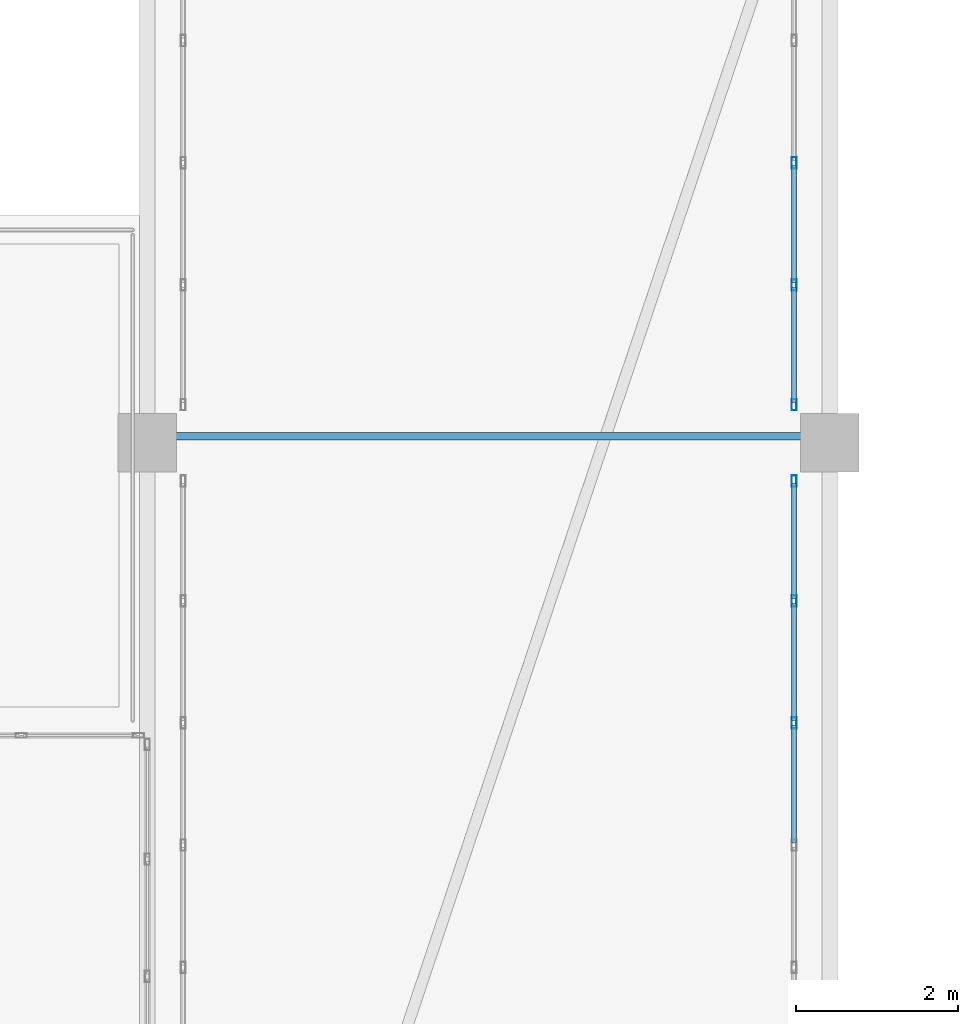
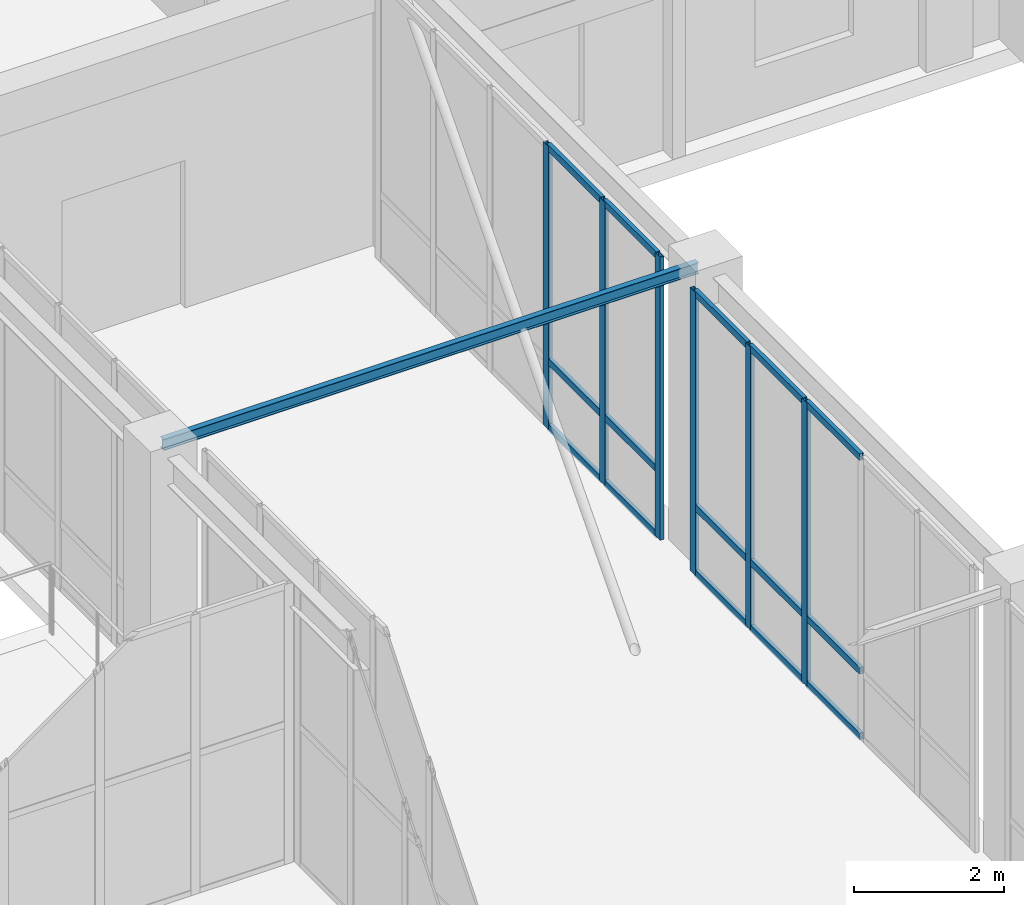
# One storey, part 75 of 158: 21 members, 1 beam, 2 elements without a shape of their own.
"""IFC4 building model written with IfcOpenShell, lengths in metres."""

import ifcopenshell
import ifcopenshell.guid

model = None  # the IFC model being written
_history = None  # IfcOwnerHistory: only IFC2X3 demands one
_inside = {}  # id of a spatial element -> (the spatial element, [elements in it])
_under = {}  # id of a project, library or spatial element -> (it, [spatial elements below it])
_declared = {}  # id of a project -> (the project, [libraries it declares])
_typed = {}  # id of a type object -> (the type object, [elements of that type])
_made_of = {}  # id of a material, layer set ... -> (it, [elements and type objects made of it])


def new_model(schema):
    """Start an empty IFC model of exactly this schema.

    Asked for "IFC4X3", IfcOpenShell would pick the latest addendum, in which some entities
    have other attributes; the version numbers below select the first issue.
    IFC2X3 requires an IfcOwnerHistory on every rooted entity: one is made here for all.
    """
    global model, _history
    if schema == "IFC4X3":
        model = ifcopenshell.file(schema_version=(4, 3, 0, 0))
    else:
        model = ifcopenshell.file(schema=schema)
    _inside.clear()
    _under.clear()
    _declared.clear()
    _typed.clear()
    _made_of.clear()
    _history = None
    if model.schema == "IFC2X3":
        org = make("IfcOrganization", Name="unknown")
        user = make(
            "IfcPersonAndOrganization",
            ThePerson=make("IfcPerson", FamilyName="unknown"),
            TheOrganization=org,
        )
        app = make(
            "IfcApplication",
            ApplicationDeveloper=org,
            Version="unknown",
            ApplicationFullName="unknown",
            ApplicationIdentifier="unknown",
        )
        _history = make(
            "IfcOwnerHistory",
            OwningUser=user,
            OwningApplication=app,
            ChangeAction="ADDED",
            CreationDate=0,
        )
    return model


def make(cls, **values):
    """One entity of the class cls with the attributes given. An attribute that is None is left unset."""
    return model.create_entity(
        cls, **{name: value for name, value in values.items() if value is not None}
    )


def rooted(cls, **values):
    """An entity with a GlobalId (a new one), such as an element, a storey or a relation."""
    return make(cls, GlobalId=ifcopenshell.guid.new(), OwnerHistory=_history, **values)


def si_unit(unit_type, name, prefix=None):
    """IfcSIUnit, for example si_unit("LENGTHUNIT", "METRE", prefix="MILLI")."""
    return make("IfcSIUnit", UnitType=unit_type, Prefix=prefix, Name=name)


def assignment(units):
    """IfcUnitAssignment: the units of a project."""
    return None if units is None else make("IfcUnitAssignment", Units=units)


def point(xyz):
    """IfcCartesianPoint."""
    return None if xyz is None else make("IfcCartesianPoint", Coordinates=xyz)


def direction(xyz):
    """IfcDirection."""
    return None if xyz is None else make("IfcDirection", DirectionRatios=xyz)


def frame(location, z_axis=None, x_axis=None):
    """IfcAxis2Placement3D, a coordinate frame: its origin and axes. An axis left out is left unset."""
    return make(
        "IfcAxis2Placement3D",
        Location=point(location),
        Axis=direction(z_axis),
        RefDirection=direction(x_axis),
    )


def frame_2d(location, x_axis=None):
    """IfcAxis2Placement2D, a coordinate frame in the plane: its origin and x axis."""
    return make(
        "IfcAxis2Placement2D", Location=point(location), RefDirection=direction(x_axis)
    )


def origin():
    """The frame at (0, 0, 0) with its axes left unset."""
    return frame((0.0, 0.0, 0.0))


def origin_2d():
    """The frame at (0, 0) in the plane with its x axis left unset."""
    return frame_2d((0.0, 0.0))


def place(relative_to, where):
    """IfcLocalPlacement: puts the frame where relative to a parent placement (None: the world)."""
    return make(
        "IfcLocalPlacement", PlacementRelTo=relative_to, RelativePlacement=where
    )


def context(
    kind, dimensions, precision=None, world=None, true_north=None, identifier=None
):
    """IfcGeometricRepresentationContext, for example the 3D "Model" context."""
    return make(
        "IfcGeometricRepresentationContext",
        ContextIdentifier=identifier,
        ContextType=kind,
        CoordinateSpaceDimension=dimensions,
        Precision=precision,
        WorldCoordinateSystem=world,
        TrueNorth=true_north,
    )


def subcontext(parent, identifier, kind, view, scale=None):
    """IfcGeometricRepresentationSubContext, for example "Body" below "Model"."""
    return make(
        "IfcGeometricRepresentationSubContext",
        ContextIdentifier=identifier,
        ContextType=kind,
        ParentContext=parent,
        TargetScale=scale,
        TargetView=view,
    )


def project(units=None, contexts=None):
    """IfcProject with its units and contexts."""
    return rooted(
        "IfcProject",
        Name="project",
        RepresentationContexts=contexts,
        UnitsInContext=assignment(units),
    )


def spatial(cls, under=None, at=None, **own):
    """A site, building, storey or space (cls), placed at a placement, below another one or the project."""
    s = rooted(cls, ObjectPlacement=at, **own)
    if under is not None:
        _under.setdefault(under.id(), (under, []))[1].append(s)
    return s


def profile(cls, at=None, kind="AREA", **sizes):
    """A parametric profile (cls). Its sizes go by their IFC names, for example OverallWidth=200.0."""
    return make(cls, ProfileType=kind, Position=at, **sizes)


def hollow_rectangle(**sizes):
    """IfcRectangleHollowProfileDef."""
    return profile("IfcRectangleHollowProfileDef", **sizes)


def i_section(**sizes):
    """IfcIShapeProfileDef."""
    return profile("IfcIShapeProfileDef", **sizes)


def extrude(swept, where, along, depth):
    """IfcExtrudedAreaSolid: the profile swept, set in the frame where, extruded along a direction by depth."""
    return make(
        "IfcExtrudedAreaSolid",
        SweptArea=swept,
        Position=where,
        ExtrudedDirection=direction(along),
        Depth=depth,
    )


def shape(context_of_items, identifier, shape_type, items):
    """IfcShapeRepresentation: the items that make up one representation, for example the "Body"."""
    return make(
        "IfcShapeRepresentation",
        ContextOfItems=context_of_items,
        RepresentationIdentifier=identifier,
        RepresentationType=shape_type,
        Items=items,
    )


def material(Name=None, Category=None):
    """IfcMaterial."""
    return make("IfcMaterial", Name=Name, Category=Category)


def layer(
    of_material, thickness, ventilated=None, Name=None, Category=None, Priority=None
):
    """IfcMaterialLayer: one layer of a wall or slab, of a material (None: an air gap)."""
    return make(
        "IfcMaterialLayer",
        Material=of_material,
        LayerThickness=thickness,
        IsVentilated=ventilated,
        Name=Name,
        Category=Category,
        Priority=Priority,
    )


def layer_set(layers, Name=None):
    """IfcMaterialLayerSet."""
    return make("IfcMaterialLayerSet", MaterialLayers=layers, LayerSetName=Name)


def material_profile(
    of_material, cross_section, Name=None, Category=None, Priority=None
):
    """IfcMaterialProfile: a cross section and its material."""
    return make(
        "IfcMaterialProfile",
        Name=Name,
        Material=of_material,
        Profile=cross_section,
        Priority=Priority,
        Category=Category,
    )


def profile_set(profiles, Name=None, composite=None):
    """IfcMaterialProfileSet."""
    return make(
        "IfcMaterialProfileSet",
        Name=Name,
        MaterialProfiles=profiles,
        CompositeProfile=composite,
    )


def made_of(thing, what):
    """Note that an element or type object is made of a material, layer set ...; save() writes the relation."""
    if what is not None:
        _made_of.setdefault(what.id(), (what, []))[1].append(thing)
    return thing


def type_object(cls, material=None, **own):
    """A type object (cls), such as IfcWallType, which elements share."""
    return made_of(rooted(cls, **own), material)


def element(
    cls,
    number,
    at=None,
    inside=None,
    cuts=None,
    type_object=None,
    material=None,
    context=None,
    identifier="Body",
    shape_type=None,
    held_by="IfcProductDefinitionShape",
    body=None,
    shapes=None,
    **own,
):
    """One element of the class cls, such as IfcWall. Its Tag is "e" and its number.

    at: its placement. inside: the storey or other place that contains it. cuts: it is an
    opening in that element (IfcRelVoidsElement). A single representation is given by context,
    identifier, shape_type and body (its items); several are given by shapes. held_by: the class
    of the entity that holds the representations. save() writes the other relations.
    """
    e = rooted(cls, Tag="e%d" % number, ObjectPlacement=at, **own)
    if body is not None:
        shapes = [shape(context, identifier, shape_type, body)]
    if shapes is not None:
        e.Representation = make(held_by, Representations=shapes)
    if inside is not None:
        _inside.setdefault(inside.id(), (inside, []))[1].append(e)
    if cuts is not None:
        rooted(
            "IfcRelVoidsElement", RelatingBuildingElement=cuts, RelatedOpeningElement=e
        )
    if type_object is not None:
        _typed.setdefault(type_object.id(), (type_object, []))[1].append(e)
    return made_of(e, material)


def aggregate(whole, parts):
    """IfcRelAggregates: a whole, such as a stair, and the parts it consists of."""
    return rooted("IfcRelAggregates", RelatingObject=whole, RelatedObjects=parts)


def save(model, path):
    """Write the relations noted so far, then the file.

    IfcRelAggregates (storeys below a building ...), IfcRelContainedInSpatialStructure (elements
    in a storey), IfcRelDefinesByType, IfcRelAssociatesMaterial and IfcRelDeclares: one each for
    every whole, place, type object, material and project.
    """
    for whole, parts in _under.values():
        aggregate(whole, parts)
    for where, things in _inside.values():
        rooted(
            "IfcRelContainedInSpatialStructure",
            RelatedElements=things,
            RelatingStructure=where,
        )
    for kind, things in _typed.values():
        rooted("IfcRelDefinesByType", RelatedObjects=things, RelatingType=kind)
    for what, things in _made_of.values():
        rooted("IfcRelAssociatesMaterial", RelatedObjects=things, RelatingMaterial=what)
    for by, libraries in _declared.values():
        rooted("IfcRelDeclares", RelatingContext=by, RelatedDefinitions=libraries)
    model.write(path)


model = new_model("IFC4")

# Units and contexts
model_context = context("Model", 3, precision=1e-05, world=origin(), true_north=direction((0.0, 1.0)))
body_context = subcontext(model_context, "Body", "Model", "MODEL_VIEW")
ifc_project = project(units=[si_unit("LENGTHUNIT", "METRE"), si_unit("AREAUNIT", "SQUARE_METRE"), si_unit("VOLUMEUNIT", "CUBIC_METRE"), si_unit("PLANEANGLEUNIT", "RADIAN"), si_unit("MASSUNIT", "GRAM", prefix="KILO")], contexts=[model_context])

# Site, building, storey
site_placement = place(None, origin())
site = spatial("IfcSite", under=ifc_project, at=site_placement, CompositionType="ELEMENT")
building_placement = place(site_placement, origin())
building = spatial("IfcBuilding", under=site, at=building_placement, Name="Trelvath General Hospital", CompositionType="ELEMENT")
storey_placement = place(building_placement, frame((0.0, 0.0, 8.10009765625)))
storey = spatial("IfcBuildingStorey", under=building, at=storey_placement, Name="L02", CompositionType="ELEMENT", Elevation=8.10009765625)

# Beam
ifc_material_1 = material(Name="Steel S355", Category="steel")
ifc_material_profile_1 = material_profile(ifc_material_1, i_section(OverallWidth=0.091064453125, OverallDepth=0.179931640625, WebThickness=0.00537109375, FlangeThickness=0.008056640625, at=origin_2d()), Name="IPE180")
ifc_profile_set_1 = profile_set([ifc_material_profile_1], Name="Steel S355")
beam_type = type_object("IfcBeamType", Name="BridgeJoist IPE180", PredefinedType="JOIST", material=ifc_profile_set_1)
beam_placement = place(storey_placement, frame((75.679931640625, 84.083984375, 4.52001953125), z_axis=(1.0, 0.0, 0.0), x_axis=(0.0, 1.0, 0.0)))
element("IfcBeam", 1, at=beam_placement, inside=storey, type_object=beam_type, Name="Bridge Cross Joist BRG-N-C L03", PredefinedType="JOIST", context=body_context, shape_type="SweptSolid", body=[
    extrude(i_section(OverallWidth=0.091064453125, OverallDepth=0.179931640625, WebThickness=0.00537109375, FlangeThickness=0.008056640625, at=origin_2d()), origin(), (0.0, 0.0, 1.0), 8.239990234375),
])

# Curtain wall, members
ifc_material_2 = material(Name="Anodised aluminium and low-E glass", Category="aluminium")
ifc_layer = layer(ifc_material_2, 0.139892578125)
ifc_layer_set = layer_set([ifc_layer], Name="Anodised aluminium and low-E glass")
curtain_wall_type = type_object("IfcCurtainWallType", Name="CW Bridge 752 461", PredefinedType="USERDEFINED", material=ifc_layer_set)
curtain_wall_1_placement = place(storey_placement, origin())
curtain_wall_1 = element("IfcCurtainWall", 2, at=curtain_wall_1_placement, inside=storey, type_object=curtain_wall_type, Name="Glazed Bridge Curtain Wall BRG-N-C E L02", ObjectType="Unitised Glazed Curtain Wall", PredefinedType="USERDEFINED")
ifc_material_3 = material(Name="Anodised aluminium", Category="aluminium")
ifc_material_profile_2 = material_profile(ifc_material_3, hollow_rectangle(XDim=0.06005859375, YDim=0.139892578125, WallThickness=0.00390625, at=origin_2d()), Name="RHS60x140x4")
ifc_profile_set_2 = profile_set([ifc_material_profile_2], Name="Anodised aluminium")
member_type_1 = type_object("IfcMemberType", Name="CurtainMullion 60x140", PredefinedType="MULLION", material=ifc_profile_set_2)
member_1_placement = place(storey_placement, frame((83.56005859375, 83.530029296875, 0.0), z_axis=(0.0, 0.0, 1.0), x_axis=(1.0, 0.0, 0.0)))
member_1 = element("IfcMember", 3, at=member_1_placement, type_object=member_type_1, Name="CW-223 mullion 1", PredefinedType="MULLION", context=body_context, shape_type="SweptSolid", body=[
    extrude(hollow_rectangle(XDim=0.06005859375, YDim=0.139892578125, WallThickness=0.00390625, at=origin_2d()), origin(), (0.0, 0.0, 1.0), 4.60986328125),
])
member_2_placement = place(storey_placement, frame((83.56005859375, 82.055908203125, 0.0), z_axis=(0.0, 0.0, 1.0), x_axis=(1.0, 0.0, 0.0)))
member_2 = element("IfcMember", 4, at=member_2_placement, type_object=member_type_1, Name="CW-223 mullion 2", PredefinedType="MULLION", context=body_context, shape_type="SweptSolid", body=[
    extrude(hollow_rectangle(XDim=0.06005859375, YDim=0.139892578125, WallThickness=0.00390625, at=origin_2d()), origin(), (0.0, 0.0, 1.0), 4.60986328125),
])
member_3_placement = place(storey_placement, frame((83.56005859375, 80.552001953125, 0.0), z_axis=(0.0, 0.0, 1.0), x_axis=(1.0, 0.0, 0.0)))
member_3 = element("IfcMember", 5, at=member_3_placement, type_object=member_type_1, Name="CW-223 mullion 3", PredefinedType="MULLION", context=body_context, shape_type="SweptSolid", body=[
    extrude(hollow_rectangle(XDim=0.06005859375, YDim=0.139892578125, WallThickness=0.00390625, at=origin_2d()), origin(), (0.0, 0.0, 1.0), 4.60986328125),
])

curtain_wall_2_placement = place(storey_placement, origin())
curtain_wall_2 = element("IfcCurtainWall", 6, at=curtain_wall_2_placement, inside=storey, type_object=curtain_wall_type, Name="Glazed Bridge Curtain Wall BRG-N-C E L02", ObjectType="Unitised Glazed Curtain Wall", PredefinedType="USERDEFINED")
member_4_placement = place(storey_placement, frame((83.56005859375, 87.447998046875, 0.0), z_axis=(0.0, 0.0, 1.0), x_axis=(1.0, 0.0, 0.0)))
member_4 = element("IfcMember", 7, at=member_4_placement, type_object=member_type_1, Name="CW-225 mullion 4", PredefinedType="MULLION", context=body_context, shape_type="SweptSolid", body=[
    extrude(hollow_rectangle(XDim=0.06005859375, YDim=0.139892578125, WallThickness=0.00390625, at=origin_2d()), origin(), (0.0, 0.0, 1.0), 4.60986328125),
])
member_5_placement = place(storey_placement, frame((83.56005859375, 85.944091796875, 0.0), z_axis=(0.0, 0.0, 1.0), x_axis=(1.0, 0.0, 0.0)))
member_5 = element("IfcMember", 8, at=member_5_placement, type_object=member_type_1, Name="CW-225 mullion 5", PredefinedType="MULLION", context=body_context, shape_type="SweptSolid", body=[
    extrude(hollow_rectangle(XDim=0.06005859375, YDim=0.139892578125, WallThickness=0.00390625, at=origin_2d()), origin(), (0.0, 0.0, 1.0), 4.60986328125),
])
member_6_placement = place(storey_placement, frame((83.56005859375, 84.469970703125, 0.0), z_axis=(0.0, 0.0, 1.0), x_axis=(1.0, 0.0, 0.0)))
member_6 = element("IfcMember", 9, at=member_6_placement, type_object=member_type_1, Name="CW-225 mullion 6", PredefinedType="MULLION", context=body_context, shape_type="SweptSolid", body=[
    extrude(hollow_rectangle(XDim=0.06005859375, YDim=0.139892578125, WallThickness=0.00390625, at=origin_2d()), origin(), (0.0, 0.0, 1.0), 4.60986328125),
])

# Member
ifc_material_4 = material(Name="Anodised aluminium", Category="aluminium")
ifc_material_profile_3 = material_profile(ifc_material_4, hollow_rectangle(XDim=0.06005859375, YDim=0.110107421875, WallThickness=0.00390625, at=origin_2d()), Name="RHS60x110x4")
ifc_profile_set_3 = profile_set([ifc_material_profile_3], Name="Anodised aluminium")
member_type_2 = type_object("IfcMemberType", Name="CurtainTransom 60x110", PredefinedType="USERDEFINED", material=ifc_profile_set_3)
member_7_placement = place(storey_placement, frame((83.56005859375, 83.5, 0.02978515625), z_axis=(0.0, -1.0, 0.0), x_axis=(1.0, 0.0, 0.0)))
member_7 = element("IfcMember", 10, at=member_7_placement, type_object=member_type_2, Name="CW-223 transom 1.1", ObjectType="TRANSOM", PredefinedType="USERDEFINED", context=body_context, shape_type="SweptSolid", body=[
    extrude(hollow_rectangle(XDim=0.06005859375, YDim=0.110107421875, WallThickness=0.00390625, at=origin_2d()), origin(), (0.0, 0.0, 1.0), 1.4140625),
])

member_8_placement = place(storey_placement, frame((83.56005859375, 83.5, 1.099853515625), z_axis=(0.0, -1.0, 0.0), x_axis=(1.0, 0.0, 0.0)))
member_8 = element("IfcMember", 11, at=member_8_placement, type_object=member_type_2, Name="CW-223 transom 1.2", ObjectType="TRANSOM", PredefinedType="USERDEFINED", context=body_context, shape_type="SweptSolid", body=[
    extrude(hollow_rectangle(XDim=0.06005859375, YDim=0.110107421875, WallThickness=0.00390625, at=origin_2d()), origin(), (0.0, 0.0, 1.0), 1.4140625),
])

member_9_placement = place(storey_placement, frame((83.56005859375, 83.5, 4.579833984375), z_axis=(0.0, -1.0, 0.0), x_axis=(1.0, 0.0, 0.0)))
member_9 = element("IfcMember", 12, at=member_9_placement, type_object=member_type_2, Name="CW-223 transom 1.3", ObjectType="TRANSOM", PredefinedType="USERDEFINED", context=body_context, shape_type="SweptSolid", body=[
    extrude(hollow_rectangle(XDim=0.06005859375, YDim=0.110107421875, WallThickness=0.00390625, at=origin_2d()), origin(), (0.0, 0.0, 1.0), 1.4140625),
])

member_10_placement = place(storey_placement, frame((83.56005859375, 82.02587890625, 0.02978515625), z_axis=(0.0, -1.0, 0.0), x_axis=(1.0, 0.0, 0.0)))
member_10 = element("IfcMember", 13, at=member_10_placement, type_object=member_type_2, Name="CW-223 transom 2.1", ObjectType="TRANSOM", PredefinedType="USERDEFINED", context=body_context, shape_type="SweptSolid", body=[
    extrude(hollow_rectangle(XDim=0.06005859375, YDim=0.110107421875, WallThickness=0.00390625, at=origin_2d()), origin(), (0.0, 0.0, 1.0), 1.44384765625),
])

member_11_placement = place(storey_placement, frame((83.56005859375, 82.02587890625, 1.099853515625), z_axis=(0.0, -1.0, 0.0), x_axis=(1.0, 0.0, 0.0)))
member_11 = element("IfcMember", 14, at=member_11_placement, type_object=member_type_2, Name="CW-223 transom 2.2", ObjectType="TRANSOM", PredefinedType="USERDEFINED", context=body_context, shape_type="SweptSolid", body=[
    extrude(hollow_rectangle(XDim=0.06005859375, YDim=0.110107421875, WallThickness=0.00390625, at=origin_2d()), origin(), (0.0, 0.0, 1.0), 1.44384765625),
])

member_12_placement = place(storey_placement, frame((83.56005859375, 82.02587890625, 4.579833984375), z_axis=(0.0, -1.0, 0.0), x_axis=(1.0, 0.0, 0.0)))
member_12 = element("IfcMember", 15, at=member_12_placement, type_object=member_type_2, Name="CW-223 transom 2.3", ObjectType="TRANSOM", PredefinedType="USERDEFINED", context=body_context, shape_type="SweptSolid", body=[
    extrude(hollow_rectangle(XDim=0.06005859375, YDim=0.110107421875, WallThickness=0.00390625, at=origin_2d()), origin(), (0.0, 0.0, 1.0), 1.44384765625),
])

member_13_placement = place(storey_placement, frame((83.56005859375, 80.52197265625, 0.02978515625), z_axis=(0.0, -1.0, 0.0), x_axis=(1.0, 0.0, 0.0)))
member_13 = element("IfcMember", 16, at=member_13_placement, type_object=member_type_2, Name="CW-223 transom 3.1", ObjectType="TRANSOM", PredefinedType="USERDEFINED", context=body_context, shape_type="SweptSolid", body=[
    extrude(hollow_rectangle(XDim=0.06005859375, YDim=0.110107421875, WallThickness=0.00390625, at=origin_2d()), origin(), (0.0, 0.0, 1.0), 1.444091796875),
])

member_14_placement = place(storey_placement, frame((83.56005859375, 80.52197265625, 1.099853515625), z_axis=(0.0, -1.0, 0.0), x_axis=(1.0, 0.0, 0.0)))
member_14 = element("IfcMember", 17, at=member_14_placement, type_object=member_type_2, Name="CW-223 transom 3.2", ObjectType="TRANSOM", PredefinedType="USERDEFINED", context=body_context, shape_type="SweptSolid", body=[
    extrude(hollow_rectangle(XDim=0.06005859375, YDim=0.110107421875, WallThickness=0.00390625, at=origin_2d()), origin(), (0.0, 0.0, 1.0), 1.444091796875),
])

member_15_placement = place(storey_placement, frame((83.56005859375, 80.52197265625, 4.579833984375), z_axis=(0.0, -1.0, 0.0), x_axis=(1.0, 0.0, 0.0)))
member_15 = element("IfcMember", 18, at=member_15_placement, type_object=member_type_2, Name="CW-223 transom 3.3", ObjectType="TRANSOM", PredefinedType="USERDEFINED", context=body_context, shape_type="SweptSolid", body=[
    extrude(hollow_rectangle(XDim=0.06005859375, YDim=0.110107421875, WallThickness=0.00390625, at=origin_2d()), origin(), (0.0, 0.0, 1.0), 1.444091796875),
])

aggregate(curtain_wall_1, [member_1, member_2, member_3, member_7, member_8, member_9, member_10, member_11, member_12, member_13, member_14, member_15])

member_16_placement = place(storey_placement, frame((83.56005859375, 87.41796875, 0.02978515625), z_axis=(0.0, -1.0, 0.0), x_axis=(1.0, 0.0, 0.0)))
member_16 = element("IfcMember", 19, at=member_16_placement, type_object=member_type_2, Name="CW-225 transom 4.1", ObjectType="TRANSOM", PredefinedType="USERDEFINED", context=body_context, shape_type="SweptSolid", body=[
    extrude(hollow_rectangle(XDim=0.06005859375, YDim=0.110107421875, WallThickness=0.00390625, at=origin_2d()), origin(), (0.0, 0.0, 1.0), 1.44384765625),
])

member_17_placement = place(storey_placement, frame((83.56005859375, 87.41796875, 1.099853515625), z_axis=(0.0, -1.0, 0.0), x_axis=(1.0, 0.0, 0.0)))
member_17 = element("IfcMember", 20, at=member_17_placement, type_object=member_type_2, Name="CW-225 transom 4.2", ObjectType="TRANSOM", PredefinedType="USERDEFINED", context=body_context, shape_type="SweptSolid", body=[
    extrude(hollow_rectangle(XDim=0.06005859375, YDim=0.110107421875, WallThickness=0.00390625, at=origin_2d()), origin(), (0.0, 0.0, 1.0), 1.44384765625),
])

member_18_placement = place(storey_placement, frame((83.56005859375, 87.41796875, 4.579833984375), z_axis=(0.0, -1.0, 0.0), x_axis=(1.0, 0.0, 0.0)))
member_18 = element("IfcMember", 21, at=member_18_placement, type_object=member_type_2, Name="CW-225 transom 4.3", ObjectType="TRANSOM", PredefinedType="USERDEFINED", context=body_context, shape_type="SweptSolid", body=[
    extrude(hollow_rectangle(XDim=0.06005859375, YDim=0.110107421875, WallThickness=0.00390625, at=origin_2d()), origin(), (0.0, 0.0, 1.0), 1.44384765625),
])

member_19_placement = place(storey_placement, frame((83.56005859375, 85.9140625, 0.02978515625), z_axis=(0.0, -1.0, 0.0), x_axis=(1.0, 0.0, 0.0)))
member_19 = element("IfcMember", 22, at=member_19_placement, type_object=member_type_2, Name="CW-225 transom 5.1", ObjectType="TRANSOM", PredefinedType="USERDEFINED", context=body_context, shape_type="SweptSolid", body=[
    extrude(hollow_rectangle(XDim=0.06005859375, YDim=0.110107421875, WallThickness=0.00390625, at=origin_2d()), origin(), (0.0, 0.0, 1.0), 1.4140625),
])

member_20_placement = place(storey_placement, frame((83.56005859375, 85.9140625, 1.099853515625), z_axis=(0.0, -1.0, 0.0), x_axis=(1.0, 0.0, 0.0)))
member_20 = element("IfcMember", 23, at=member_20_placement, type_object=member_type_2, Name="CW-225 transom 5.2", ObjectType="TRANSOM", PredefinedType="USERDEFINED", context=body_context, shape_type="SweptSolid", body=[
    extrude(hollow_rectangle(XDim=0.06005859375, YDim=0.110107421875, WallThickness=0.00390625, at=origin_2d()), origin(), (0.0, 0.0, 1.0), 1.4140625),
])

member_21_placement = place(storey_placement, frame((83.56005859375, 85.9140625, 4.579833984375), z_axis=(0.0, -1.0, 0.0), x_axis=(1.0, 0.0, 0.0)))
member_21 = element("IfcMember", 24, at=member_21_placement, type_object=member_type_2, Name="CW-225 transom 5.3", ObjectType="TRANSOM", PredefinedType="USERDEFINED", context=body_context, shape_type="SweptSolid", body=[
    extrude(hollow_rectangle(XDim=0.06005859375, YDim=0.110107421875, WallThickness=0.00390625, at=origin_2d()), origin(), (0.0, 0.0, 1.0), 1.4140625),
])

aggregate(curtain_wall_2, [member_4, member_5, member_6, member_16, member_17, member_18, member_19, member_20, member_21])

save(model, "model.ifc")
